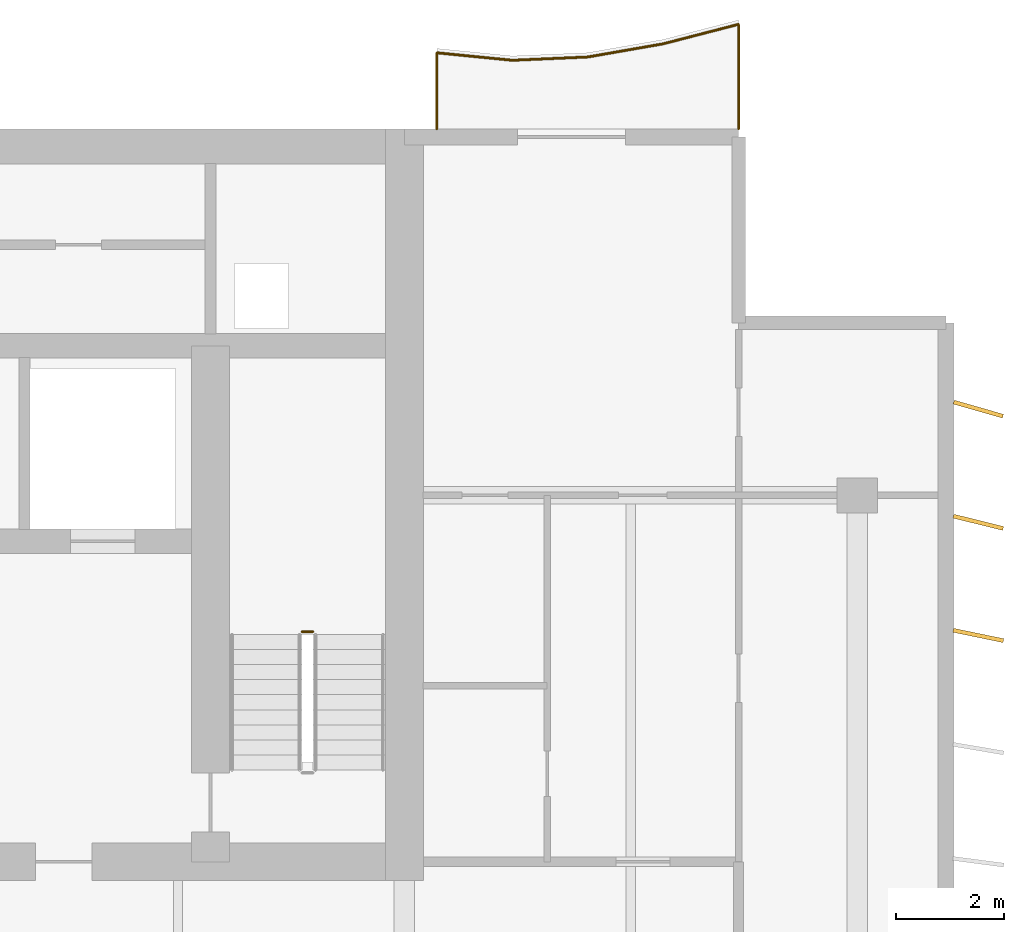
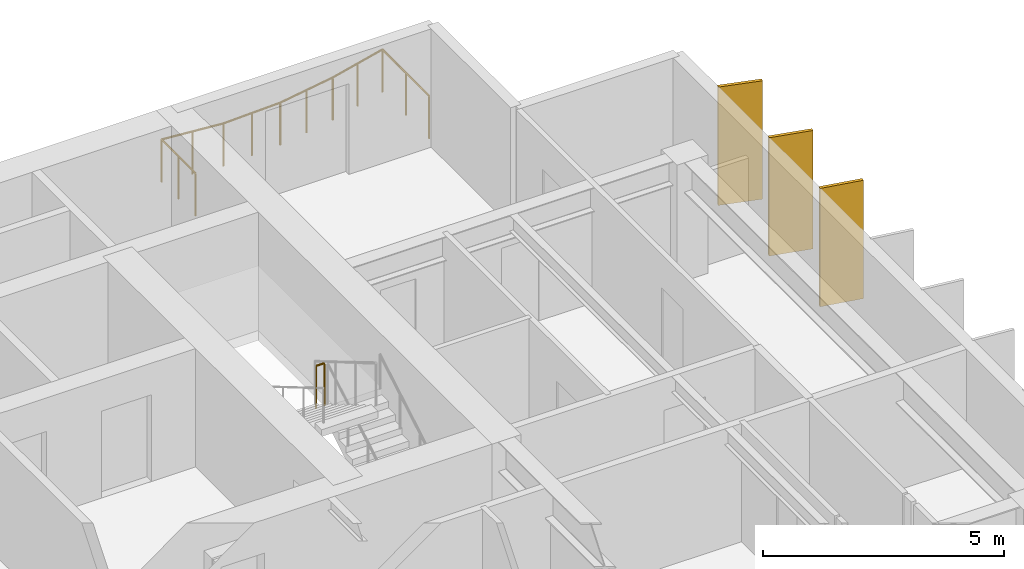
# One storey, part 16 of 16: 3 shading devices, 2 railings.
"""IFC4 building model written with IfcOpenShell, lengths in metres."""

import ifcopenshell
import ifcopenshell.guid

model = None  # the IFC model being written
_history = None  # IfcOwnerHistory: only IFC2X3 demands one
_inside = {}  # id of a spatial element -> (the spatial element, [elements in it])
_under = {}  # id of a project, library or spatial element -> (it, [spatial elements below it])
_declared = {}  # id of a project -> (the project, [libraries it declares])
_typed = {}  # id of a type object -> (the type object, [elements of that type])
_made_of = {}  # id of a material, layer set ... -> (it, [elements and type objects made of it])


def new_model(schema):
    """Start an empty IFC model of exactly this schema.

    Asked for "IFC4X3", IfcOpenShell would pick the latest addendum, in which some entities
    have other attributes; the version numbers below select the first issue.
    IFC2X3 requires an IfcOwnerHistory on every rooted entity: one is made here for all.
    """
    global model, _history
    if schema == "IFC4X3":
        model = ifcopenshell.file(schema_version=(4, 3, 0, 0))
    else:
        model = ifcopenshell.file(schema=schema)
    _inside.clear()
    _under.clear()
    _declared.clear()
    _typed.clear()
    _made_of.clear()
    _history = None
    if model.schema == "IFC2X3":
        org = make("IfcOrganization", Name="unknown")
        user = make(
            "IfcPersonAndOrganization",
            ThePerson=make("IfcPerson", FamilyName="unknown"),
            TheOrganization=org,
        )
        app = make(
            "IfcApplication",
            ApplicationDeveloper=org,
            Version="unknown",
            ApplicationFullName="unknown",
            ApplicationIdentifier="unknown",
        )
        _history = make(
            "IfcOwnerHistory",
            OwningUser=user,
            OwningApplication=app,
            ChangeAction="ADDED",
            CreationDate=0,
        )
    return model


def make(cls, **values):
    """One entity of the class cls with the attributes given. An attribute that is None is left unset."""
    return model.create_entity(
        cls, **{name: value for name, value in values.items() if value is not None}
    )


def rooted(cls, **values):
    """An entity with a GlobalId (a new one), such as an element, a storey or a relation."""
    return make(cls, GlobalId=ifcopenshell.guid.new(), OwnerHistory=_history, **values)


def si_unit(unit_type, name, prefix=None):
    """IfcSIUnit, for example si_unit("LENGTHUNIT", "METRE", prefix="MILLI")."""
    return make("IfcSIUnit", UnitType=unit_type, Prefix=prefix, Name=name)


def assignment(units):
    """IfcUnitAssignment: the units of a project."""
    return None if units is None else make("IfcUnitAssignment", Units=units)


def point(xyz):
    """IfcCartesianPoint."""
    return None if xyz is None else make("IfcCartesianPoint", Coordinates=xyz)


def direction(xyz):
    """IfcDirection."""
    return None if xyz is None else make("IfcDirection", DirectionRatios=xyz)


def frame(location, z_axis=None, x_axis=None):
    """IfcAxis2Placement3D, a coordinate frame: its origin and axes. An axis left out is left unset."""
    return make(
        "IfcAxis2Placement3D",
        Location=point(location),
        Axis=direction(z_axis),
        RefDirection=direction(x_axis),
    )


def frame_2d(location, x_axis=None):
    """IfcAxis2Placement2D, a coordinate frame in the plane: its origin and x axis."""
    return make(
        "IfcAxis2Placement2D", Location=point(location), RefDirection=direction(x_axis)
    )


def origin():
    """The frame at (0, 0, 0) with its axes left unset."""
    return frame((0.0, 0.0, 0.0))


def origin_2d():
    """The frame at (0, 0) in the plane with its x axis left unset."""
    return frame_2d((0.0, 0.0))


def place(relative_to, where):
    """IfcLocalPlacement: puts the frame where relative to a parent placement (None: the world)."""
    return make(
        "IfcLocalPlacement", PlacementRelTo=relative_to, RelativePlacement=where
    )


def context(
    kind, dimensions, precision=None, world=None, true_north=None, identifier=None
):
    """IfcGeometricRepresentationContext, for example the 3D "Model" context."""
    return make(
        "IfcGeometricRepresentationContext",
        ContextIdentifier=identifier,
        ContextType=kind,
        CoordinateSpaceDimension=dimensions,
        Precision=precision,
        WorldCoordinateSystem=world,
        TrueNorth=true_north,
    )


def subcontext(parent, identifier, kind, view, scale=None):
    """IfcGeometricRepresentationSubContext, for example "Body" below "Model"."""
    return make(
        "IfcGeometricRepresentationSubContext",
        ContextIdentifier=identifier,
        ContextType=kind,
        ParentContext=parent,
        TargetScale=scale,
        TargetView=view,
    )


def project(units=None, contexts=None):
    """IfcProject with its units and contexts."""
    return rooted(
        "IfcProject",
        Name="project",
        RepresentationContexts=contexts,
        UnitsInContext=assignment(units),
    )


def spatial(cls, under=None, at=None, **own):
    """A site, building, storey or space (cls), placed at a placement, below another one or the project."""
    s = rooted(cls, ObjectPlacement=at, **own)
    if under is not None:
        _under.setdefault(under.id(), (under, []))[1].append(s)
    return s


def profile(cls, at=None, kind="AREA", **sizes):
    """A parametric profile (cls). Its sizes go by their IFC names, for example OverallWidth=200.0."""
    return make(cls, ProfileType=kind, Position=at, **sizes)


def rectangle(**sizes):
    """IfcRectangleProfileDef."""
    return profile("IfcRectangleProfileDef", **sizes)


def circle(**sizes):
    """IfcCircleProfileDef."""
    return profile("IfcCircleProfileDef", **sizes)


def extrude(swept, where, along, depth):
    """IfcExtrudedAreaSolid: the profile swept, set in the frame where, extruded along a direction by depth."""
    return make(
        "IfcExtrudedAreaSolid",
        SweptArea=swept,
        Position=where,
        ExtrudedDirection=direction(along),
        Depth=depth,
    )


def shape(context_of_items, identifier, shape_type, items):
    """IfcShapeRepresentation: the items that make up one representation, for example the "Body"."""
    return make(
        "IfcShapeRepresentation",
        ContextOfItems=context_of_items,
        RepresentationIdentifier=identifier,
        RepresentationType=shape_type,
        Items=items,
    )


def material(Name=None, Category=None):
    """IfcMaterial."""
    return make("IfcMaterial", Name=Name, Category=Category)


def material_profile(
    of_material, cross_section, Name=None, Category=None, Priority=None
):
    """IfcMaterialProfile: a cross section and its material."""
    return make(
        "IfcMaterialProfile",
        Name=Name,
        Material=of_material,
        Profile=cross_section,
        Priority=Priority,
        Category=Category,
    )


def profile_set(profiles, Name=None, composite=None):
    """IfcMaterialProfileSet."""
    return make(
        "IfcMaterialProfileSet",
        Name=Name,
        MaterialProfiles=profiles,
        CompositeProfile=composite,
    )


def made_of(thing, what):
    """Note that an element or type object is made of a material, layer set ...; save() writes the relation."""
    if what is not None:
        _made_of.setdefault(what.id(), (what, []))[1].append(thing)
    return thing


def type_object(cls, material=None, **own):
    """A type object (cls), such as IfcWallType, which elements share."""
    return made_of(rooted(cls, **own), material)


def element(
    cls,
    number,
    at=None,
    inside=None,
    cuts=None,
    type_object=None,
    material=None,
    context=None,
    identifier="Body",
    shape_type=None,
    held_by="IfcProductDefinitionShape",
    body=None,
    shapes=None,
    **own,
):
    """One element of the class cls, such as IfcWall. Its Tag is "e" and its number.

    at: its placement. inside: the storey or other place that contains it. cuts: it is an
    opening in that element (IfcRelVoidsElement). A single representation is given by context,
    identifier, shape_type and body (its items); several are given by shapes. held_by: the class
    of the entity that holds the representations. save() writes the other relations.
    """
    e = rooted(cls, Tag="e%d" % number, ObjectPlacement=at, **own)
    if body is not None:
        shapes = [shape(context, identifier, shape_type, body)]
    if shapes is not None:
        e.Representation = make(held_by, Representations=shapes)
    if inside is not None:
        _inside.setdefault(inside.id(), (inside, []))[1].append(e)
    if cuts is not None:
        rooted(
            "IfcRelVoidsElement", RelatingBuildingElement=cuts, RelatedOpeningElement=e
        )
    if type_object is not None:
        _typed.setdefault(type_object.id(), (type_object, []))[1].append(e)
    return made_of(e, material)


def aggregate(whole, parts):
    """IfcRelAggregates: a whole, such as a stair, and the parts it consists of."""
    return rooted("IfcRelAggregates", RelatingObject=whole, RelatedObjects=parts)


def save(model, path):
    """Write the relations noted so far, then the file.

    IfcRelAggregates (storeys below a building ...), IfcRelContainedInSpatialStructure (elements
    in a storey), IfcRelDefinesByType, IfcRelAssociatesMaterial and IfcRelDeclares: one each for
    every whole, place, type object, material and project.
    """
    for whole, parts in _under.values():
        aggregate(whole, parts)
    for where, things in _inside.values():
        rooted(
            "IfcRelContainedInSpatialStructure",
            RelatedElements=things,
            RelatingStructure=where,
        )
    for kind, things in _typed.values():
        rooted("IfcRelDefinesByType", RelatedObjects=things, RelatingType=kind)
    for what, things in _made_of.values():
        rooted("IfcRelAssociatesMaterial", RelatedObjects=things, RelatingMaterial=what)
    for by, libraries in _declared.values():
        rooted("IfcRelDeclares", RelatingContext=by, RelatedDefinitions=libraries)
    model.write(path)


model = new_model("IFC4")

# Units and contexts
model_context = context("Model", 3, precision=1e-05, world=origin(), true_north=direction((0.0, 1.0)))
body_context = subcontext(model_context, "Body", "Model", "MODEL_VIEW")
ifc_project = project(units=[si_unit("LENGTHUNIT", "METRE"), si_unit("AREAUNIT", "SQUARE_METRE"), si_unit("VOLUMEUNIT", "CUBIC_METRE"), si_unit("PLANEANGLEUNIT", "RADIAN"), si_unit("MASSUNIT", "GRAM", prefix="KILO")], contexts=[model_context])

# Site, building, storey
site_placement = place(None, origin())
site = spatial("IfcSite", under=ifc_project, at=site_placement, CompositionType="ELEMENT")
building_placement = place(site_placement, origin())
building = spatial("IfcBuilding", under=site, at=building_placement, Name="Caelmar Bay Residences", CompositionType="ELEMENT")
storey_placement = place(building_placement, frame((0.0, 0.0, 266.10009765625)))
storey = spatial("IfcBuildingStorey", under=building, at=storey_placement, Name="L75", CompositionType="ELEMENT", Elevation=266.10009765625)

# Railings
ifc_material_1 = material(Name="Anodised bronze handrail with laminated hurricane glass infill", Category="glass")
railing_type_1 = type_object("IfcRailingType", Name="RL-BAL-1100", PredefinedType="BALUSTRADE", material=ifc_material_1)
railing_1_placement = place(storey_placement, frame((65.699951171875, 50.60009765625, 0.0)))
element("IfcRailing", 1, at=railing_1_placement, inside=storey, type_object=railing_type_1, Name="L75 north_east Balcony Balustrade", PredefinedType="BALUSTRADE", context=body_context, shape_type="SweptSolid", body=[
    extrude(circle(Radius=0.02392578125, at=origin_2d()), frame((0.0, 0.0, 1.076171875), z_axis=(0.0, 1.0, 0.0), x_axis=(-1.0, 0.0, 0.0)), (0.0, 0.0, 1.0), 1.94140625),
    extrude(circle(Radius=0.02392578125, at=origin_2d()), frame((0.0, 1.94140625, 1.076171875), z_axis=(-0.968103147298, -0.250551983012, 0.0), x_axis=(0.250551983012, -0.968103147298, 0.0)), (0.0, 0.0, 1.0), 1.446044921875),
    extrude(circle(Radius=0.02392578125, at=origin_2d()), frame((-1.39990234375, 1.5791015625, 1.076171875), z_axis=(-0.985106932591, -0.171942814215, 0.0), x_axis=(0.171942814215, -0.985106932591, 0.0)), (0.0, 0.0, 1.0), 1.42138671875),
    extrude(circle(Radius=0.02392578125, at=origin_2d()), frame((-2.800048828125, 1.334716796875, 1.076171875), z_axis=(-0.999058458158, -0.043384296491, 0.0), x_axis=(0.043384296491, -0.999058458158, 0.0)), (0.0, 0.0, 1.0), 1.401123046875),
    extrude(circle(Radius=0.02392578125, at=origin_2d()), frame((-4.199951171875, 1.27392578125, 1.076171875), z_axis=(-0.99509543912, 0.098919497785, 0.0), x_axis=(-0.098919497785, -0.99509543912, 0.0)), (0.0, 0.0, 1.0), 1.40673828125),
    extrude(circle(Radius=0.02392578125, at=origin_2d()), frame((-5.599853515625, 1.4130859375, 1.076171875), z_axis=(0.0, -1.0, 0.0), x_axis=(1.0, 0.0, 0.0)), (0.0, 0.0, 1.0), 1.4130859375),
    extrude(circle(Radius=0.02099609375, at=origin_2d()), origin(), (0.0, 0.0, 1.0), 1.052001953125),
    extrude(circle(Radius=0.02099609375, at=origin_2d()), frame((0.0, 0.970703125, 0.0)), (0.0, 0.0, 1.0), 1.052001953125),
    extrude(circle(Radius=0.02099609375, at=origin_2d()), frame((0.0, 1.94140625, 0.0)), (0.0, 0.0, 1.0), 1.052001953125),
    extrude(circle(Radius=0.02099609375, at=origin_2d()), frame((-0.699951171875, 1.76025390625, 0.0)), (0.0, 0.0, 1.0), 1.052001953125),
    extrude(circle(Radius=0.02099609375, at=origin_2d()), frame((-1.39990234375, 1.5791015625, 0.0)), (0.0, 0.0, 1.0), 1.052001953125),
    extrude(circle(Radius=0.02099609375, at=origin_2d()), frame((-2.10009765625, 1.45703125, 0.0)), (0.0, 0.0, 1.0), 1.052001953125),
    extrude(circle(Radius=0.02099609375, at=origin_2d()), frame((-2.800048828125, 1.334716796875, 0.0)), (0.0, 0.0, 1.0), 1.052001953125),
    extrude(circle(Radius=0.02099609375, at=origin_2d()), frame((-3.5, 1.30419921875, 0.0)), (0.0, 0.0, 1.0), 1.052001953125),
    extrude(circle(Radius=0.02099609375, at=origin_2d()), frame((-4.199951171875, 1.27392578125, 0.0)), (0.0, 0.0, 1.0), 1.052001953125),
    extrude(circle(Radius=0.02099609375, at=origin_2d()), frame((-4.89990234375, 1.343505859375, 0.0)), (0.0, 0.0, 1.0), 1.052001953125),
    extrude(circle(Radius=0.02099609375, at=origin_2d()), frame((-5.599853515625, 1.4130859375, 0.0)), (0.0, 0.0, 1.0), 1.052001953125),
    extrude(circle(Radius=0.02099609375, at=origin_2d()), frame((-5.599853515625, 0.70654296875, 0.0)), (0.0, 0.0, 1.0), 1.052001953125),
    extrude(circle(Radius=0.02099609375, at=origin_2d()), frame((-5.599853515625, 0.0, 0.0)), (0.0, 0.0, 1.0), 1.052001953125),
])
ifc_material_2 = material(Name="Painted galvanized steel stair guard 1100 mm", Category="steel")
railing_type_2 = type_object("IfcRailingType", Name="RL-GRD-1100", PredefinedType="GUARDRAIL", material=ifc_material_2)
railing_2_placement = place(storey_placement, frame((57.800048828125, 41.27001953125, 1.64990234375)))
element("IfcRailing", 2, at=railing_2_placement, inside=storey, type_object=railing_type_2, Name="L75 ST2 stair guard 2", PredefinedType="GUARDRAIL", context=body_context, shape_type="SweptSolid", body=[
    extrude(circle(Radius=0.02392578125, at=origin_2d()), frame((0.0, 0.0, 1.076171875), z_axis=(-1.0, 0.0, 0.0), x_axis=(0.0, -1.0, 0.0)), (0.0, 0.0, 1.0), 0.199951171875),
    extrude(circle(Radius=0.02099609375, at=origin_2d()), origin(), (0.0, 0.0, 1.0), 1.052001953125),
    extrude(circle(Radius=0.02099609375, at=origin_2d()), frame((-0.199951171875, 0.0, 0.0)), (0.0, 0.0, 1.0), 1.052001953125),
])

# Shading devices
ifc_material_3 = material(Name="Anodised architectural bronze aluminium 6063-T6", Category="aluminium")
ifc_material_profile = material_profile(ifc_material_3, rectangle(XDim=0.074951171875, YDim=0.949951171875, at=origin_2d()), Name="BRONZE-FIN-75X950")
ifc_profile_set = profile_set([ifc_material_profile], Name="Anodised architectural bronze aluminium 6063-T6")
shading_device_type = type_object("IfcShadingDeviceType", Name="SHD-FIN-950", PredefinedType="USERDEFINED", material=ifc_profile_set)
for number, where, z_axis, x_axis, name in (
    (3, (70.14990234375, 41.199951171875, 0.0), (0.0, 0.0, 1.0), (0.2032999874, 0.979116497217, 0.0), "L75 East Bronze Solar Fin 14"),
    (4, (70.14990234375, 43.300048828125, 0.0), (0.0, 0.0, 1.0), (0.239719743609, 0.970842131618, 0.0), "L75 East Bronze Solar Fin 15"),
    (5, (70.14990234375, 45.39990234375, 0.0), (0.0, 0.0, 1.0), (0.275637355817, 0.961261695938, 0.0), "L75 East Bronze Solar Fin 16"),
):
    element("IfcShadingDevice", number, at=place(storey_placement, frame(where, z_axis=z_axis, x_axis=x_axis)), inside=storey, type_object=shading_device_type, Name=name, ObjectType="FIN", PredefinedType="USERDEFINED", context=body_context, shape_type="SweptSolid", body=[
        extrude(rectangle(XDim=0.074951171875, YDim=0.949951171875, at=origin_2d()), origin(), (0.0, 0.0, 1.0), 3.0),
    ])

save(model, "model.ifc")
